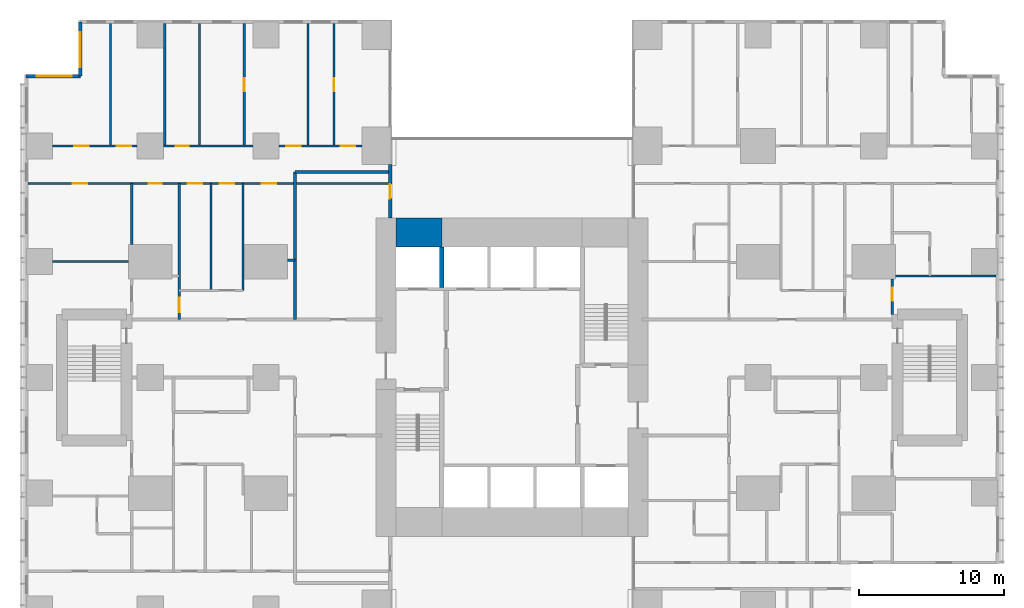
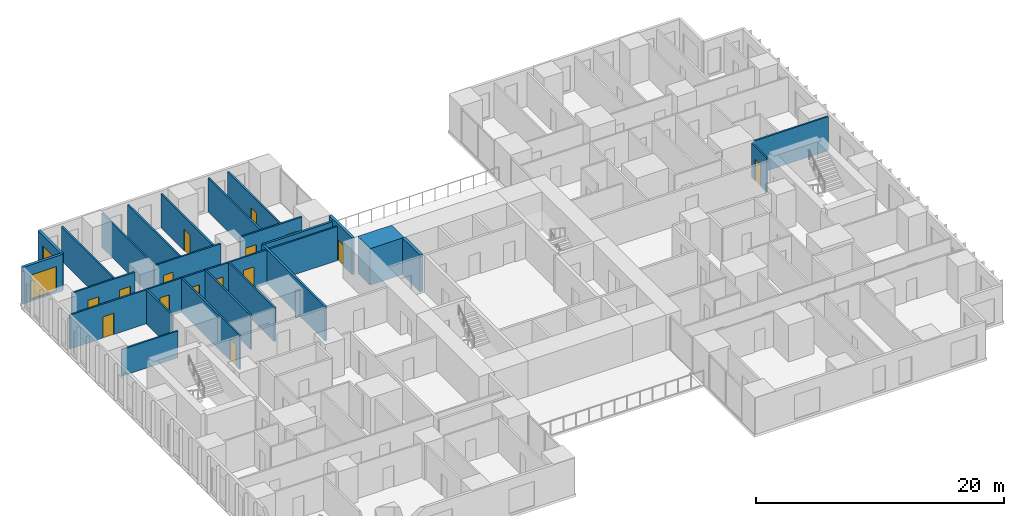
# One storey, part 16 of 20: 25 walls, 15 doors, 2 windows, 17 openings.
"""IFC4 building model written with IfcOpenShell, lengths in metres."""

from ifc_helpers import new_model, si_unit, direction, frame, frame_2d, origin, place, context, subcontext, project, spatial, rectangle, extrude, material, layer, layer_set, type_object, element, fill, save


model = new_model("IFC4")

# Units and contexts
model_context = context("Model", 3, precision=1e-05, world=origin(), true_north=direction((0.0, 1.0)))
body_context = subcontext(model_context, "Body", "Model", "MODEL_VIEW")
ifc_project = project(units=[si_unit("LENGTHUNIT", "METRE"), si_unit("AREAUNIT", "SQUARE_METRE"), si_unit("VOLUMEUNIT", "CUBIC_METRE"), si_unit("PLANEANGLEUNIT", "RADIAN"), si_unit("MASSUNIT", "GRAM", prefix="KILO")], contexts=[model_context])

# Site, building, storey
site_placement = place(None, origin())
site = spatial("IfcSite", under=ifc_project, at=site_placement, CompositionType="ELEMENT")
building_placement = place(site_placement, origin())
building = spatial("IfcBuilding", under=site, at=building_placement, Name="Cleftline Residences", CompositionType="ELEMENT")
storey_placement = place(building_placement, frame((0.0, 0.0, 182.199951171875)))
storey = spatial("IfcBuildingStorey", under=building, at=storey_placement, Name="L47", CompositionType="ELEMENT", Elevation=182.199951171875)

# Walls
ifc_material_1 = material(Name="Concrete B70", Category="concrete")
ifc_layer_1 = layer(ifc_material_1, 2.0)
ifc_layer_set_1 = layer_set([ifc_layer_1], Name="CORE WALL 2000")
wall_type_1 = type_object("IfcWallType", Name="CORE WALL 2000", PredefinedType="SHEAR", material=ifc_layer_set_1)
wall_1_placement = place(storey_placement, frame((25.0, 34.0, 0.0), z_axis=(0.0, 0.0, 1.0), x_axis=(1.0, 0.0, 0.0)))
element("IfcWall", 1, at=wall_1_placement, inside=storey, type_object=wall_type_1, Name="Core wall N1", PredefinedType="SHEAR", context=body_context, shape_type="SweptSolid", body=[
    extrude(rectangle(XDim=3.14990234375, YDim=2.0, at=frame_2d((1.574951171875, 0.0))), origin(), (0.0, 0.0, 1.0), 3.60009765625),
])
ifc_material_2 = material(Name="Concrete B70", Category="concrete")
ifc_layer_2 = layer(ifc_material_2, 0.300048828125)
ifc_layer_set_2 = layer_set([ifc_layer_2], Name="CORE WALL 300")
wall_type_2 = type_object("IfcWallType", Name="CORE WALL 300", PredefinedType="SHEAR", material=ifc_layer_set_2)
wall_2_placement = place(storey_placement, frame((28.14990234375, 30.199951171875, 0.0), z_axis=(0.0, 0.0, 1.0), x_axis=(0.0, 1.0, 0.0)))
element("IfcWall", 2, at=wall_2_placement, inside=storey, type_object=wall_type_2, Name="Lift shaft wall", PredefinedType="SHEAR", context=body_context, shape_type="SweptSolid", body=[
    extrude(rectangle(XDim=2.800048828125, YDim=0.300048828125, at=frame_2d((1.39990234375, 0.0))), origin(), (0.0, 0.0, 1.0), 3.60009765625),
])

# Wall, opening, door
ifc_material_3 = material(Name="Rendered reinforced concrete blockwork", Category="masonry")
ifc_layer_3 = layer(ifc_material_3, 0.25)
ifc_layer_set_3 = layer_set([ifc_layer_3], Name="EXTERNAL WALL 250")
wall_type_3 = type_object("IfcWallType", Name="EXTERNAL WALL 250", PredefinedType="SOLIDWALL", material=ifc_layer_set_3)
wall_3_placement = place(storey_placement, frame((24.574951171875, 35.0, 0.0), z_axis=(0.0, 0.0, 1.0), x_axis=(0.0, 1.0, 0.0)))
wall_3 = element("IfcWall", 3, at=wall_3_placement, inside=storey, type_object=wall_type_3, Name="External wall", PredefinedType="SOLIDWALL", context=body_context, shape_type="SweptSolid", body=[
    extrude(rectangle(XDim=3.699951171875, YDim=0.25, at=frame_2d((1.85009765625, 0.0))), origin(), (0.0, 0.0, 1.0), 3.60009765625),
])
opening_1_placement = place(wall_3_placement, frame((1.35009765625, 0.0, 0.0)))
opening_1 = element("IfcOpeningElement", 4, at=opening_1_placement, cuts=wall_3, Name="Opening DM1", PredefinedType="OPENING", context=body_context, shape_type="SweptSolid", body=[
    extrude(rectangle(XDim=1.0, YDim=2.10009765625, at=frame_2d((0.5, 1.050048828125))), frame((0.0, 0.135009765625, 0.0), z_axis=(0.0, -1.0, 0.0), x_axis=(1.0, 0.0, 0.0)), (0.0, 0.0, 1.0), 0.27001953125),
])
ifc_material_4 = material(Name="Galvanised steel, weathersealed", Category="steel")
door_type_1 = type_object("IfcDoorType", Name="MAINTENANCE DOOR 1000X2100", OperationType="SINGLE_SWING_LEFT", PredefinedType="DOOR", material=ifc_material_4)
door_1_placement = place(opening_1_placement, origin())
door_1 = element("IfcDoor", 5, at=door_1_placement, inside=storey, type_object=door_type_1, Name="Roof maintenance door", OperationType="SINGLE_SWING_LEFT", OverallHeight=2.10009765625, OverallWidth=1.0, PredefinedType="DOOR", context=body_context, shape_type="SweptSolid", body=[
    extrude(rectangle(XDim=1.0, YDim=2.10009765625, at=frame_2d((0.5, 1.050048828125))), frame((0.0, 0.02490234375, 0.0), z_axis=(0.0, -1.0, 0.0), x_axis=(1.0, 0.0, 0.0)), (0.0, 0.0, 1.0), 0.050048828125),
])
fill(opening_1, door_1)

# Wall, opening, window
wall_4_placement = place(storey_placement, frame((3.175048828125, 48.574951171875, 0.0), z_axis=(0.0, 0.0, 1.0), x_axis=(0.0, -1.0, 0.0)))
wall_4 = element("IfcWall", 6, at=wall_4_placement, inside=storey, type_object=wall_type_3, Name="External wall", PredefinedType="SOLIDWALL", context=body_context, shape_type="SweptSolid", body=[
    extrude(rectangle(XDim=3.75, YDim=0.25, at=frame_2d((1.875, 0.0))), origin(), (0.0, 0.0, 1.0), 3.60009765625),
])
opening_2_placement = place(wall_4_placement, frame((0.737548828125, 0.0, 0.199951171875)))
opening_2 = element("IfcOpeningElement", 7, at=opening_2_placement, cuts=wall_4, Name="Opening W9", PredefinedType="OPENING", context=body_context, shape_type="SweptSolid", body=[
    extrude(rectangle(XDim=2.39990234375, YDim=2.39990234375, at=frame_2d((1.199951171875, 1.199951171875))), frame((0.0, 0.135009765625, 0.0), z_axis=(0.0, -1.0, 0.0), x_axis=(1.0, 0.0, 0.0)), (0.0, 0.0, 1.0), 0.27001953125),
])
ifc_material_5 = material(Name="Aluminium frame, clear double glazing", Category="aluminium")
window_type = type_object("IfcWindowType", Name="WINDOW 2400X2400", PartitioningType="DOUBLE_PANEL_VERTICAL", PredefinedType="WINDOW", material=ifc_material_5)
window_1_placement = place(opening_2_placement, origin())
window_1 = element("IfcWindow", 8, at=window_1_placement, inside=storey, type_object=window_type, Name="Window", OverallHeight=2.39990234375, OverallWidth=2.39990234375, PartitioningType="SINGLE_PANEL", PredefinedType="WINDOW", context=body_context, shape_type="SweptSolid", body=[
    extrude(rectangle(XDim=2.39990234375, YDim=2.39990234375, at=frame_2d((1.199951171875, 1.199951171875))), frame((0.0, 0.030029296875, 0.0), z_axis=(0.0, -1.0, 0.0), x_axis=(1.0, 0.0, 0.0)), (0.0, 0.0, 1.0), 0.06005859375),
])
fill(opening_2, window_1)

wall_5_placement = place(storey_placement, frame((3.175048828125, 44.824951171875, 0.0), z_axis=(0.0, 0.0, 1.0), x_axis=(-1.0, 0.0, 0.0)))
wall_5 = element("IfcWall", 9, at=wall_5_placement, inside=storey, type_object=wall_type_3, Name="External wall", PredefinedType="SOLIDWALL", context=body_context, shape_type="SweptSolid", body=[
    extrude(rectangle(XDim=3.75, YDim=0.25, at=frame_2d((1.875, 0.0))), origin(), (0.0, 0.0, 1.0), 3.60009765625),
])
opening_3_placement = place(wall_5_placement, frame((0.612548828125, 0.0, 0.199951171875)))
opening_3 = element("IfcOpeningElement", 10, at=opening_3_placement, cuts=wall_5, Name="Opening W9", PredefinedType="OPENING", context=body_context, shape_type="SweptSolid", body=[
    extrude(rectangle(XDim=2.39990234375, YDim=2.39990234375, at=frame_2d((1.199951171875, 1.199951171875))), frame((0.0, 0.135009765625, 0.0), z_axis=(0.0, -1.0, 0.0), x_axis=(1.0, 0.0, 0.0)), (0.0, 0.0, 1.0), 0.27001953125),
])
window_2_placement = place(opening_3_placement, origin())
window_2 = element("IfcWindow", 11, at=window_2_placement, inside=storey, type_object=window_type, Name="Window", OverallHeight=2.39990234375, OverallWidth=2.39990234375, PartitioningType="SINGLE_PANEL", PredefinedType="WINDOW", context=body_context, shape_type="SweptSolid", body=[
    extrude(rectangle(XDim=2.39990234375, YDim=2.39990234375, at=frame_2d((1.199951171875, 1.199951171875))), frame((0.0, 0.030029296875, 0.0), z_axis=(0.0, -1.0, 0.0), x_axis=(1.0, 0.0, 0.0)), (0.0, 0.0, 1.0), 0.06005859375),
])
fill(opening_3, window_2)

# Walls
ifc_material_6 = material(Name="Concrete blockwork, fire rated", Category="masonry")
ifc_layer_4 = layer(ifc_material_6, 0.199951171875)
ifc_layer_set_4 = layer_set([ifc_layer_4], Name="FIRE WALL 200")
wall_type_4 = type_object("IfcWallType", Name="FIRE WALL 200", PredefinedType="PARTITIONING", material=ifc_layer_set_4)
wall_6_placement = place(storey_placement, frame((18.0, 38.199951171875, 0.0), z_axis=(0.0, 0.0, 1.0), x_axis=(1.0, 0.0, 0.0)))
element("IfcWall", 12, at=wall_6_placement, inside=storey, type_object=wall_type_4, Name="Fire separating wall", PredefinedType="PARTITIONING", context=body_context, shape_type="SweptSolid", body=[
    extrude(rectangle(XDim=6.449951171875, YDim=0.199951171875, at=frame_2d((3.22509765625, 0.0))), origin(), (0.0, 0.0, 1.0), 3.35009765625),
])
wall_7_placement = place(storey_placement, frame((18.0, 28.0, 0.0), z_axis=(0.0, 0.0, 1.0), x_axis=(0.0, 1.0, 0.0)))
element("IfcWall", 13, at=wall_7_placement, inside=storey, type_object=wall_type_4, Name="Fire separating wall", PredefinedType="PARTITIONING", context=body_context, shape_type="SweptSolid", body=[
    extrude(rectangle(XDim=10.199951171875, YDim=0.199951171875, at=frame_2d((5.10009765625, 0.0))), origin(), (0.0, 0.0, 1.0), 3.35009765625),
])
ifc_material_7 = material(Name="Gypsum board on steel studs", Category="steel")
ifc_layer_5 = layer(ifc_material_7, 0.14990234375)
ifc_layer_set_5 = layer_set([ifc_layer_5], Name="PARTITION 150")
wall_type_5 = type_object("IfcWallType", Name="PARTITION 150", PredefinedType="PARTITIONING", material=ifc_layer_set_5)
wall_8_placement = place(storey_placement, frame((59.5, 31.0, 0.0), z_axis=(0.0, 0.0, 1.0), x_axis=(1.0, 0.0, 0.0)))
element("IfcWall", 14, at=wall_8_placement, inside=storey, type_object=wall_type_5, Name="Partition", PredefinedType="PARTITIONING", context=body_context, shape_type="SweptSolid", body=[
    extrude(rectangle(XDim=6.949951171875, YDim=0.14990234375, at=frame_2d((3.47509765625, 0.0))), origin(), (0.0, 0.0, 1.0), 3.35009765625),
])
wall_9_placement = place(storey_placement, frame((1.25, 32.0, 0.0), z_axis=(0.0, 0.0, 1.0), x_axis=(1.0, 0.0, 0.0)))
element("IfcWall", 15, at=wall_9_placement, inside=storey, type_object=wall_type_5, Name="Partition", PredefinedType="PARTITIONING", context=body_context, shape_type="SweptSolid", body=[
    extrude(rectangle(XDim=5.25, YDim=0.14990234375, at=frame_2d((2.625, 0.0))), origin(), (0.0, 0.0, 1.0), 2.634033203125),
])
wall_10_placement = place(storey_placement, frame((17.5, 32.10009765625, 0.0), z_axis=(0.0, 0.0, 1.0), x_axis=(1.0, 0.0, 0.0)))
element("IfcWall", 16, at=wall_10_placement, inside=storey, type_object=wall_type_5, Name="Partition", PredefinedType="PARTITIONING", context=body_context, shape_type="SweptSolid", body=[
    extrude(rectangle(XDim=0.5, YDim=0.14990234375, at=frame_2d((0.25, 0.0))), origin(), (0.0, 0.0, 1.0), 2.634033203125),
])

# Wall, openings, doors
wall_11_placement = place(storey_placement, frame((-0.449951171875, 37.39990234375, 0.0), z_axis=(0.0, 0.0, 1.0), x_axis=(1.0, 0.0, 0.0)))
wall_11 = element("IfcWall", 17, at=wall_11_placement, inside=storey, type_object=wall_type_5, Name="Partition", PredefinedType="PARTITIONING", context=body_context, shape_type="SweptSolid", body=[
    extrude(rectangle(XDim=24.89990234375, YDim=0.14990234375, at=frame_2d((12.449951171875, 0.0))), origin(), (0.0, 0.0, 1.0), 3.35009765625),
])
opening_4_placement = place(wall_11_placement, frame((13.25, 0.0, 0.0)))
opening_4 = element("IfcOpeningElement", 18, at=opening_4_placement, cuts=wall_11, Name="Opening D2", PredefinedType="OPENING", context=body_context, shape_type="SweptSolid", body=[
    extrude(rectangle(XDim=1.0, YDim=2.10009765625, at=frame_2d((0.5, 1.050048828125))), frame((0.0, 0.0849609375, 0.0), z_axis=(0.0, -1.0, 0.0), x_axis=(1.0, 0.0, 0.0)), (0.0, 0.0, 1.0), 0.169921875),
])
opening_5_placement = place(wall_11_placement, frame((3.08740234375, 0.0, 0.0)))
opening_5 = element("IfcOpeningElement", 19, at=opening_5_placement, cuts=wall_11, Name="Opening D2", PredefinedType="OPENING", context=body_context, shape_type="SweptSolid", body=[
    extrude(rectangle(XDim=1.0, YDim=2.10009765625, at=frame_2d((0.5, 1.050048828125))), frame((0.0, 0.0849609375, 0.0), z_axis=(0.0, -1.0, 0.0), x_axis=(1.0, 0.0, 0.0)), (0.0, 0.0, 1.0), 0.169921875),
])
opening_6_placement = place(wall_11_placement, frame((8.362548828125, 0.0, 0.0)))
opening_6 = element("IfcOpeningElement", 20, at=opening_6_placement, cuts=wall_11, Name="Opening D1", PredefinedType="OPENING", context=body_context, shape_type="SweptSolid", body=[
    extrude(rectangle(XDim=0.89990234375, YDim=2.10009765625, at=frame_2d((0.449951171875, 1.050048828125))), frame((0.0, 0.0849609375, 0.0), z_axis=(0.0, -1.0, 0.0), x_axis=(1.0, 0.0, 0.0)), (0.0, 0.0, 1.0), 0.169921875),
])
opening_7_placement = place(wall_11_placement, frame((11.050048828125, 0.0, 0.0)))
opening_7 = element("IfcOpeningElement", 21, at=opening_7_placement, cuts=wall_11, Name="Opening D2", PredefinedType="OPENING", context=body_context, shape_type="SweptSolid", body=[
    extrude(rectangle(XDim=1.0, YDim=2.10009765625, at=frame_2d((0.5, 1.050048828125))), frame((0.0, 0.0849609375, 0.0), z_axis=(0.0, -1.0, 0.0), x_axis=(1.0, 0.0, 0.0)), (0.0, 0.0, 1.0), 0.169921875),
])
opening_8_placement = place(wall_11_placement, frame((16.14990234375, 0.0, 0.0)))
opening_8 = element("IfcOpeningElement", 22, at=opening_8_placement, cuts=wall_11, Name="Opening D2", PredefinedType="OPENING", context=body_context, shape_type="SweptSolid", body=[
    extrude(rectangle(XDim=1.0, YDim=2.10009765625, at=frame_2d((0.5, 1.050048828125))), frame((0.0, 0.0849609375, 0.0), z_axis=(0.0, -1.0, 0.0), x_axis=(1.0, 0.0, 0.0)), (0.0, 0.0, 1.0), 0.169921875),
])
ifc_material_8 = material(Name="Timber veneer on solid core", Category="wood")
door_type_2 = type_object("IfcDoorType", Name="DOOR 1000X2100", OperationType="SINGLE_SWING_LEFT", PredefinedType="DOOR", material=ifc_material_8)
door_2_placement = place(opening_4_placement, origin())
door_2 = element("IfcDoor", 23, at=door_2_placement, inside=storey, type_object=door_type_2, Name="Door to residence hall", OperationType="SINGLE_SWING_LEFT", OverallHeight=2.10009765625, OverallWidth=1.0, PredefinedType="DOOR", context=body_context, shape_type="SweptSolid", body=[
    extrude(rectangle(XDim=1.0, YDim=2.10009765625, at=frame_2d((0.5, 1.050048828125))), frame((0.0, 0.02490234375, 0.0), z_axis=(0.0, -1.0, 0.0), x_axis=(1.0, 0.0, 0.0)), (0.0, 0.0, 1.0), 0.050048828125),
])
fill(opening_4, door_2)
door_3_placement = place(opening_5_placement, origin())
door_3 = element("IfcDoor", 24, at=door_3_placement, inside=storey, type_object=door_type_2, Name="Door to winter garden", OperationType="SINGLE_SWING_RIGHT", OverallHeight=2.10009765625, OverallWidth=1.0, PredefinedType="DOOR", context=body_context, shape_type="SweptSolid", body=[
    extrude(rectangle(XDim=1.0, YDim=2.10009765625, at=frame_2d((0.5, 1.050048828125))), frame((0.0, 0.02490234375, 0.0), z_axis=(0.0, -1.0, 0.0), x_axis=(1.0, 0.0, 0.0)), (0.0, 0.0, 1.0), 0.050048828125),
])
fill(opening_5, door_3)
door_4_placement = place(opening_7_placement, origin())
door_4 = element("IfcDoor", 25, at=door_4_placement, inside=storey, type_object=door_type_2, Name="Door to family room", OperationType="SINGLE_SWING_RIGHT", OverallHeight=2.10009765625, OverallWidth=1.0, PredefinedType="DOOR", context=body_context, shape_type="SweptSolid", body=[
    extrude(rectangle(XDim=1.0, YDim=2.10009765625, at=frame_2d((0.5, 1.050048828125))), frame((0.0, 0.02490234375, 0.0), z_axis=(0.0, -1.0, 0.0), x_axis=(1.0, 0.0, 0.0)), (0.0, 0.0, 1.0), 0.050048828125),
])
fill(opening_7, door_4)
door_5_placement = place(opening_8_placement, origin())
door_5 = element("IfcDoor", 26, at=door_5_placement, inside=storey, type_object=door_type_2, Name="Door to morning kitchen", OperationType="SINGLE_SWING_LEFT", OverallHeight=2.10009765625, OverallWidth=1.0, PredefinedType="DOOR", context=body_context, shape_type="SweptSolid", body=[
    extrude(rectangle(XDim=1.0, YDim=2.10009765625, at=frame_2d((0.5, 1.050048828125))), frame((0.0, 0.02490234375, 0.0), z_axis=(0.0, -1.0, 0.0), x_axis=(1.0, 0.0, 0.0)), (0.0, 0.0, 1.0), 0.050048828125),
])
fill(opening_8, door_5)
ifc_material_9 = material(Name="Timber veneer on solid core", Category="wood")
door_type_3 = type_object("IfcDoorType", Name="DOOR 900X2100", OperationType="SINGLE_SWING_LEFT", PredefinedType="DOOR", material=ifc_material_9)
door_6_placement = place(opening_6_placement, origin())
door_6 = element("IfcDoor", 27, at=door_6_placement, inside=storey, type_object=door_type_3, Name="Door to master bathroom", OperationType="SINGLE_SWING_RIGHT", OverallHeight=2.10009765625, OverallWidth=0.89990234375, PredefinedType="DOOR", context=body_context, shape_type="SweptSolid", body=[
    extrude(rectangle(XDim=0.89990234375, YDim=2.10009765625, at=frame_2d((0.449951171875, 1.050048828125))), frame((0.0, 0.02490234375, 0.0), z_axis=(0.0, -1.0, 0.0), x_axis=(1.0, 0.0, 0.0)), (0.0, 0.0, 1.0), 0.050048828125),
])
fill(opening_6, door_6)

wall_12_placement = place(storey_placement, frame((1.25, 40.0, 0.0), z_axis=(0.0, 0.0, 1.0), x_axis=(1.0, 0.0, 0.0)))
wall_12 = element("IfcWall", 28, at=wall_12_placement, inside=storey, type_object=wall_type_5, Name="Partition", PredefinedType="PARTITIONING", context=body_context, shape_type="SweptSolid", body=[
    extrude(rectangle(XDim=5.85009765625, YDim=0.14990234375, at=frame_2d((2.925048828125, 0.0))), origin(), (0.0, 0.0, 1.0), 3.35009765625),
])
opening_9_placement = place(wall_12_placement, frame((1.5, 0.0, 0.0)))
opening_9 = element("IfcOpeningElement", 29, at=opening_9_placement, cuts=wall_12, Name="Opening D2", PredefinedType="OPENING", context=body_context, shape_type="SweptSolid", body=[
    extrude(rectangle(XDim=1.0, YDim=2.10009765625, at=frame_2d((0.5, 1.050048828125))), frame((0.0, 0.0849609375, 0.0), z_axis=(0.0, -1.0, 0.0), x_axis=(1.0, 0.0, 0.0)), (0.0, 0.0, 1.0), 0.169921875),
])
opening_10_placement = place(wall_12_placement, frame((4.425048828125, 0.0, 0.0)))
opening_10 = element("IfcOpeningElement", 30, at=opening_10_placement, cuts=wall_12, Name="Opening D2", PredefinedType="OPENING", context=body_context, shape_type="SweptSolid", body=[
    extrude(rectangle(XDim=1.0, YDim=2.10009765625, at=frame_2d((0.5, 1.050048828125))), frame((0.0, 0.0849609375, 0.0), z_axis=(0.0, -1.0, 0.0), x_axis=(1.0, 0.0, 0.0)), (0.0, 0.0, 1.0), 0.169921875),
])
door_7_placement = place(opening_9_placement, origin())
door_7 = element("IfcDoor", 31, at=door_7_placement, inside=storey, type_object=door_type_2, Name="Door to master bedroom", OperationType="SINGLE_SWING_RIGHT", OverallHeight=2.10009765625, OverallWidth=1.0, PredefinedType="DOOR", context=body_context, shape_type="SweptSolid", body=[
    extrude(rectangle(XDim=1.0, YDim=2.10009765625, at=frame_2d((0.5, 1.050048828125))), frame((0.0, 0.02490234375, 0.0), z_axis=(0.0, -1.0, 0.0), x_axis=(1.0, 0.0, 0.0)), (0.0, 0.0, 1.0), 0.050048828125),
])
fill(opening_9, door_7)
door_8_placement = place(opening_10_placement, origin())
door_8 = element("IfcDoor", 32, at=door_8_placement, inside=storey, type_object=door_type_2, Name="Door to master sitting room", OperationType="SINGLE_SWING_LEFT", OverallHeight=2.10009765625, OverallWidth=1.0, PredefinedType="DOOR", context=body_context, shape_type="SweptSolid", body=[
    extrude(rectangle(XDim=1.0, YDim=2.10009765625, at=frame_2d((0.5, 1.050048828125))), frame((0.0, 0.02490234375, 0.0), z_axis=(0.0, -1.0, 0.0), x_axis=(1.0, 0.0, 0.0)), (0.0, 0.0, 1.0), 0.050048828125),
])
fill(opening_10, door_8)

# Wall, opening, door
wall_13_placement = place(storey_placement, frame((8.89990234375, 40.0, 0.0), z_axis=(0.0, 0.0, 1.0), x_axis=(1.0, 0.0, 0.0)))
wall_13 = element("IfcWall", 33, at=wall_13_placement, inside=storey, type_object=wall_type_5, Name="Partition", PredefinedType="PARTITIONING", context=body_context, shape_type="SweptSolid", body=[
    extrude(rectangle(XDim=6.2001953125, YDim=0.14990234375, at=frame_2d((3.10009765625, 0.0))), origin(), (0.0, 0.0, 1.0), 3.35009765625),
])
opening_11_placement = place(wall_13_placement, frame((0.85009765625, 0.0, 0.0)))
opening_11 = element("IfcOpeningElement", 34, at=opening_11_placement, cuts=wall_13, Name="Opening D1", PredefinedType="OPENING", context=body_context, shape_type="SweptSolid", body=[
    extrude(rectangle(XDim=0.89990234375, YDim=2.10009765625, at=frame_2d((0.449951171875, 1.050048828125))), frame((0.0, 0.0849609375, 0.0), z_axis=(0.0, -1.0, 0.0), x_axis=(1.0, 0.0, 0.0)), (0.0, 0.0, 1.0), 0.169921875),
])
door_9_placement = place(opening_11_placement, origin())
door_9 = element("IfcDoor", 35, at=door_9_placement, inside=storey, type_object=door_type_3, Name="Door to master dressing room", OperationType="SINGLE_SWING_RIGHT", OverallHeight=2.10009765625, OverallWidth=0.89990234375, PredefinedType="DOOR", context=body_context, shape_type="SweptSolid", body=[
    extrude(rectangle(XDim=0.89990234375, YDim=2.10009765625, at=frame_2d((0.449951171875, 1.050048828125))), frame((0.0, 0.02490234375, 0.0), z_axis=(0.0, -1.0, 0.0), x_axis=(1.0, 0.0, 0.0)), (0.0, 0.0, 1.0), 0.050048828125),
])
fill(opening_11, door_9)

# Wall, openings, doors
wall_14_placement = place(storey_placement, frame((16.89990234375, 40.0, 0.0), z_axis=(0.0, 0.0, 1.0), x_axis=(1.0, 0.0, 0.0)))
wall_14 = element("IfcWall", 36, at=wall_14_placement, inside=storey, type_object=wall_type_5, Name="Partition", PredefinedType="PARTITIONING", context=body_context, shape_type="SweptSolid", body=[
    extrude(rectangle(XDim=5.75, YDim=0.14990234375, at=frame_2d((2.875, 0.0))), origin(), (0.0, 0.0, 1.0), 3.35009765625),
])
opening_12_placement = place(wall_14_placement, frame((0.5, 0.0, 0.0)))
opening_12 = element("IfcOpeningElement", 37, at=opening_12_placement, cuts=wall_14, Name="Opening D2", PredefinedType="OPENING", context=body_context, shape_type="SweptSolid", body=[
    extrude(rectangle(XDim=1.0, YDim=2.10009765625, at=frame_2d((0.5, 1.050048828125))), frame((0.0, 0.0849609375, 0.0), z_axis=(0.0, -1.0, 0.0), x_axis=(1.0, 0.0, 0.0)), (0.0, 0.0, 1.0), 0.169921875),
])
opening_13_placement = place(wall_14_placement, frame((4.27490234375, 0.0, 0.0)))
opening_13 = element("IfcOpeningElement", 38, at=opening_13_placement, cuts=wall_14, Name="Opening D2", PredefinedType="OPENING", context=body_context, shape_type="SweptSolid", body=[
    extrude(rectangle(XDim=1.0, YDim=2.10009765625, at=frame_2d((0.5, 1.050048828125))), frame((0.0, 0.0849609375, 0.0), z_axis=(0.0, -1.0, 0.0), x_axis=(1.0, 0.0, 0.0)), (0.0, 0.0, 1.0), 0.169921875),
])
door_10_placement = place(opening_12_placement, origin())
door_10 = element("IfcDoor", 39, at=door_10_placement, inside=storey, type_object=door_type_2, Name="Door to bedroom 2", OperationType="SINGLE_SWING_RIGHT", OverallHeight=2.10009765625, OverallWidth=1.0, PredefinedType="DOOR", context=body_context, shape_type="SweptSolid", body=[
    extrude(rectangle(XDim=1.0, YDim=2.10009765625, at=frame_2d((0.5, 1.050048828125))), frame((0.0, 0.02490234375, 0.0), z_axis=(0.0, -1.0, 0.0), x_axis=(1.0, 0.0, 0.0)), (0.0, 0.0, 1.0), 0.050048828125),
])
fill(opening_12, door_10)
door_11_placement = place(opening_13_placement, origin())
door_11 = element("IfcDoor", 40, at=door_11_placement, inside=storey, type_object=door_type_2, Name="Door to bedroom 3", OperationType="SINGLE_SWING_LEFT", OverallHeight=2.10009765625, OverallWidth=1.0, PredefinedType="DOOR", context=body_context, shape_type="SweptSolid", body=[
    extrude(rectangle(XDim=1.0, YDim=2.10009765625, at=frame_2d((0.5, 1.050048828125))), frame((0.0, 0.02490234375, 0.0), z_axis=(0.0, -1.0, 0.0), x_axis=(1.0, 0.0, 0.0)), (0.0, 0.0, 1.0), 0.050048828125),
])
fill(opening_13, door_11)

# Walls
wall_15_placement = place(storey_placement, frame((5.25, 40.0, 0.0), z_axis=(0.0, 0.0, 1.0), x_axis=(0.0, 1.0, 0.0)))
element("IfcWall", 41, at=wall_15_placement, inside=storey, type_object=wall_type_5, Name="Partition", PredefinedType="PARTITIONING", context=body_context, shape_type="SweptSolid", body=[
    extrude(rectangle(XDim=8.449951171875, YDim=0.14990234375, at=frame_2d((4.22509765625, 0.0))), origin(), (0.0, 0.0, 1.0), 3.35009765625),
])
wall_16_placement = place(storey_placement, frame((6.72509765625, 33.199951171875, 0.0), z_axis=(0.0, 0.0, 1.0), x_axis=(0.0, 1.0, 0.0)))
element("IfcWall", 42, at=wall_16_placement, inside=storey, type_object=wall_type_5, Name="Partition", PredefinedType="PARTITIONING", context=body_context, shape_type="SweptSolid", body=[
    extrude(rectangle(XDim=4.199951171875, YDim=0.14990234375, at=frame_2d((2.10009765625, 0.0))), origin(), (0.0, 0.0, 1.0), 3.35009765625),
])
wall_17_placement = place(storey_placement, frame((9.0, 40.0, 0.0), z_axis=(0.0, 0.0, 1.0), x_axis=(0.0, 1.0, 0.0)))
element("IfcWall", 43, at=wall_17_placement, inside=storey, type_object=wall_type_5, Name="Partition", PredefinedType="PARTITIONING", context=body_context, shape_type="SweptSolid", body=[
    extrude(rectangle(XDim=8.449951171875, YDim=0.14990234375, at=frame_2d((4.22509765625, 0.0))), origin(), (0.0, 0.0, 1.0), 3.35009765625),
])

# Wall, opening, door
wall_18_placement = place(storey_placement, frame((10.0, 28.0, 0.0), z_axis=(0.0, 0.0, 1.0), x_axis=(0.0, 1.0, 0.0)))
wall_18 = element("IfcWall", 44, at=wall_18_placement, inside=storey, type_object=wall_type_5, Name="Partition", PredefinedType="PARTITIONING", context=body_context, shape_type="SweptSolid", body=[
    extrude(rectangle(XDim=9.39990234375, YDim=0.14990234375, at=frame_2d((4.699951171875, 0.0))), origin(), (0.0, 0.0, 1.0), 3.35009765625),
])
opening_14_placement = place(wall_18_placement, frame((0.5, 0.0, 0.0)))
opening_14 = element("IfcOpeningElement", 45, at=opening_14_placement, cuts=wall_18, Name="Opening D2F30", PredefinedType="OPENING", context=body_context, shape_type="SweptSolid", body=[
    extrude(rectangle(XDim=1.0, YDim=2.10009765625, at=frame_2d((0.5, 1.050048828125))), frame((0.0, 0.0849609375, 0.0), z_axis=(0.0, -1.0, 0.0), x_axis=(1.0, 0.0, 0.0)), (0.0, 0.0, 1.0), 0.169921875),
])
ifc_material_10 = material(Name="Timber veneer on solid core", Category="wood")
door_type_4 = type_object("IfcDoorType", Name="DOOR 1000X2100 EI 30", OperationType="SINGLE_SWING_LEFT", PredefinedType="DOOR", material=ifc_material_10)
door_12_placement = place(opening_14_placement, origin())
door_12 = element("IfcDoor", 46, at=door_12_placement, inside=storey, type_object=door_type_4, Name="Door to residence lobby (service)", OperationType="SINGLE_SWING_RIGHT", OverallHeight=2.10009765625, OverallWidth=1.0, PredefinedType="DOOR", context=body_context, shape_type="SweptSolid", body=[
    extrude(rectangle(XDim=1.0, YDim=2.10009765625, at=frame_2d((0.5, 1.050048828125))), frame((0.0, 0.02490234375, 0.0), z_axis=(0.0, -1.0, 0.0), x_axis=(1.0, 0.0, 0.0)), (0.0, 0.0, 1.0), 0.050048828125),
])
fill(opening_14, door_12)

# Walls
wall_19_placement = place(storey_placement, frame((11.39990234375, 40.0, 0.0), z_axis=(0.0, 0.0, 1.0), x_axis=(0.0, 1.0, 0.0)))
element("IfcWall", 47, at=wall_19_placement, inside=storey, type_object=wall_type_5, Name="Partition", PredefinedType="PARTITIONING", context=body_context, shape_type="SweptSolid", body=[
    extrude(rectangle(XDim=8.449951171875, YDim=0.14990234375, at=frame_2d((4.22509765625, 0.0))), origin(), (0.0, 0.0, 1.0), 3.35009765625),
])
for number, where, z_axis, x_axis, name in (
    (48, (12.199951171875, 30.0, 0.0), (0.0, 0.0, 1.0), (0.0, 1.0, 0.0), "Partition"),
    (49, (14.39990234375, 30.0, 0.0), (0.0, 0.0, 1.0), (0.0, 1.0, 0.0), "Partition"),
):
    element("IfcWall", number, at=place(storey_placement, frame(where, z_axis=z_axis, x_axis=x_axis)), inside=storey, type_object=wall_type_5, Name=name, PredefinedType="PARTITIONING", context=body_context, shape_type="SweptSolid", body=[
        extrude(rectangle(XDim=7.39990234375, YDim=0.14990234375, at=frame_2d((3.699951171875, 0.0))), origin(), (0.0, 0.0, 1.0), 3.35009765625),
    ])

# Wall, opening, door
wall_20_placement = place(storey_placement, frame((14.5, 40.0, 0.0), z_axis=(0.0, 0.0, 1.0), x_axis=(0.0, 1.0, 0.0)))
wall_20 = element("IfcWall", 50, at=wall_20_placement, inside=storey, type_object=wall_type_5, Name="Partition", PredefinedType="PARTITIONING", context=body_context, shape_type="SweptSolid", body=[
    extrude(rectangle(XDim=8.449951171875, YDim=0.14990234375, at=frame_2d((4.22509765625, 0.0))), origin(), (0.0, 0.0, 1.0), 3.35009765625),
])
opening_15_placement = place(wall_20_placement, frame((3.77490234375, 0.0, 0.0)))
opening_15 = element("IfcOpeningElement", 51, at=opening_15_placement, cuts=wall_20, Name="Opening D1", PredefinedType="OPENING", context=body_context, shape_type="SweptSolid", body=[
    extrude(rectangle(XDim=0.89990234375, YDim=2.10009765625, at=frame_2d((0.449951171875, 1.050048828125))), frame((0.0, 0.0849609375, 0.0), z_axis=(0.0, -1.0, 0.0), x_axis=(1.0, 0.0, 0.0)), (0.0, 0.0, 1.0), 0.169921875),
])
door_13_placement = place(opening_15_placement, origin())
door_13 = element("IfcDoor", 52, at=door_13_placement, inside=storey, type_object=door_type_3, Name="Door to en-suite bathroom 2", OperationType="SINGLE_SWING_LEFT", OverallHeight=2.10009765625, OverallWidth=0.89990234375, PredefinedType="DOOR", context=body_context, shape_type="SweptSolid", body=[
    extrude(rectangle(XDim=0.89990234375, YDim=2.10009765625, at=frame_2d((0.449951171875, 1.050048828125))), frame((0.0, 0.02490234375, 0.0), z_axis=(0.0, -1.0, 0.0), x_axis=(1.0, 0.0, 0.0)), (0.0, 0.0, 1.0), 0.050048828125),
])
fill(opening_15, door_13)

# Wall
wall_21_placement = place(storey_placement, frame((18.89990234375, 40.0, 0.0), z_axis=(0.0, 0.0, 1.0), x_axis=(0.0, 1.0, 0.0)))
element("IfcWall", 53, at=wall_21_placement, inside=storey, type_object=wall_type_5, Name="Partition", PredefinedType="PARTITIONING", context=body_context, shape_type="SweptSolid", body=[
    extrude(rectangle(XDim=8.449951171875, YDim=0.14990234375, at=frame_2d((4.22509765625, 0.0))), origin(), (0.0, 0.0, 1.0), 3.35009765625),
])

# Wall, opening, door
wall_22_placement = place(storey_placement, frame((20.699951171875, 40.0, 0.0), z_axis=(0.0, 0.0, 1.0), x_axis=(0.0, 1.0, 0.0)))
wall_22 = element("IfcWall", 54, at=wall_22_placement, inside=storey, type_object=wall_type_5, Name="Partition", PredefinedType="PARTITIONING", context=body_context, shape_type="SweptSolid", body=[
    extrude(rectangle(XDim=8.449951171875, YDim=0.14990234375, at=frame_2d((4.22509765625, 0.0))), origin(), (0.0, 0.0, 1.0), 3.35009765625),
])
opening_16_placement = place(wall_22_placement, frame((3.77490234375, 0.0, 0.0)))
opening_16 = element("IfcOpeningElement", 55, at=opening_16_placement, cuts=wall_22, Name="Opening D1", PredefinedType="OPENING", context=body_context, shape_type="SweptSolid", body=[
    extrude(rectangle(XDim=0.89990234375, YDim=2.10009765625, at=frame_2d((0.449951171875, 1.050048828125))), frame((0.0, 0.0849609375, 0.0), z_axis=(0.0, -1.0, 0.0), x_axis=(1.0, 0.0, 0.0)), (0.0, 0.0, 1.0), 0.169921875),
])
door_14_placement = place(opening_16_placement, origin())
door_14 = element("IfcDoor", 56, at=door_14_placement, inside=storey, type_object=door_type_3, Name="Door to en-suite bathroom 3", OperationType="SINGLE_SWING_LEFT", OverallHeight=2.10009765625, OverallWidth=0.89990234375, PredefinedType="DOOR", context=body_context, shape_type="SweptSolid", body=[
    extrude(rectangle(XDim=0.89990234375, YDim=2.10009765625, at=frame_2d((0.449951171875, 1.050048828125))), frame((0.0, 0.02490234375, 0.0), z_axis=(0.0, -1.0, 0.0), x_axis=(1.0, 0.0, 0.0)), (0.0, 0.0, 1.0), 0.050048828125),
])
fill(opening_16, door_14)

wall_23_placement = place(storey_placement, frame((59.27490234375, 28.35009765625, 0.0), z_axis=(0.0, 0.0, 1.0), x_axis=(0.0, 1.0, 0.0)))
wall_23 = element("IfcWall", 57, at=wall_23_placement, inside=storey, type_object=wall_type_5, Name="Partition", PredefinedType="PARTITIONING", context=body_context, shape_type="SweptSolid", body=[
    extrude(rectangle(XDim=2.449951171875, YDim=0.14990234375, at=frame_2d((1.22509765625, 0.0))), origin(), (0.0, 0.0, 1.0), 3.35009765625),
])
opening_17_placement = place(wall_23_placement, frame((0.96240234375, 0.0, 0.0)))
opening_17 = element("IfcOpeningElement", 58, at=opening_17_placement, cuts=wall_23, Name="Opening D1", PredefinedType="OPENING", context=body_context, shape_type="SweptSolid", body=[
    extrude(rectangle(XDim=0.89990234375, YDim=2.10009765625, at=frame_2d((0.449951171875, 1.050048828125))), frame((0.0, 0.0849609375, 0.0), z_axis=(0.0, -1.0, 0.0), x_axis=(1.0, 0.0, 0.0)), (0.0, 0.0, 1.0), 0.169921875),
])
door_15_placement = place(opening_17_placement, origin())
door_15 = element("IfcDoor", 59, at=door_15_placement, inside=storey, type_object=door_type_3, Name="Door to master dressing room", OperationType="SINGLE_SWING_LEFT", OverallHeight=2.10009765625, OverallWidth=0.89990234375, PredefinedType="DOOR", context=body_context, shape_type="SweptSolid", body=[
    extrude(rectangle(XDim=0.89990234375, YDim=2.10009765625, at=frame_2d((0.449951171875, 1.050048828125))), frame((0.0, 0.02490234375, 0.0), z_axis=(0.0, -1.0, 0.0), x_axis=(1.0, 0.0, 0.0)), (0.0, 0.0, 1.0), 0.050048828125),
])
fill(opening_17, door_15)

save(model, "model.ifc")
